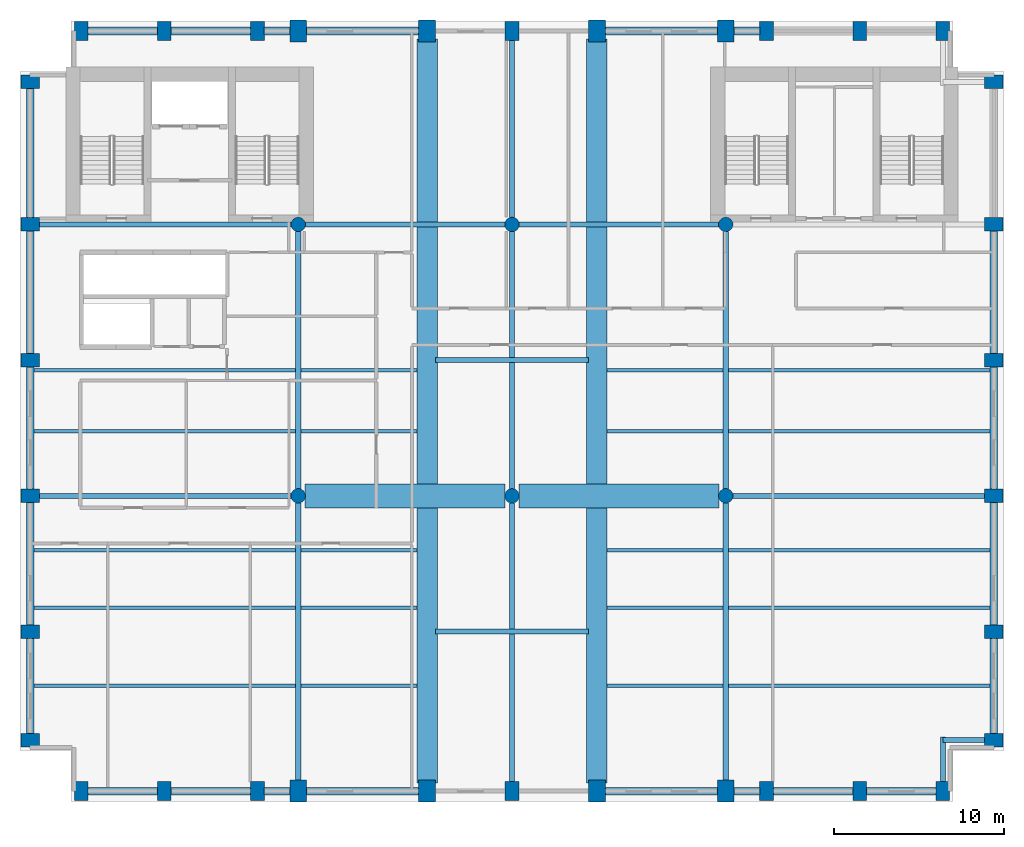
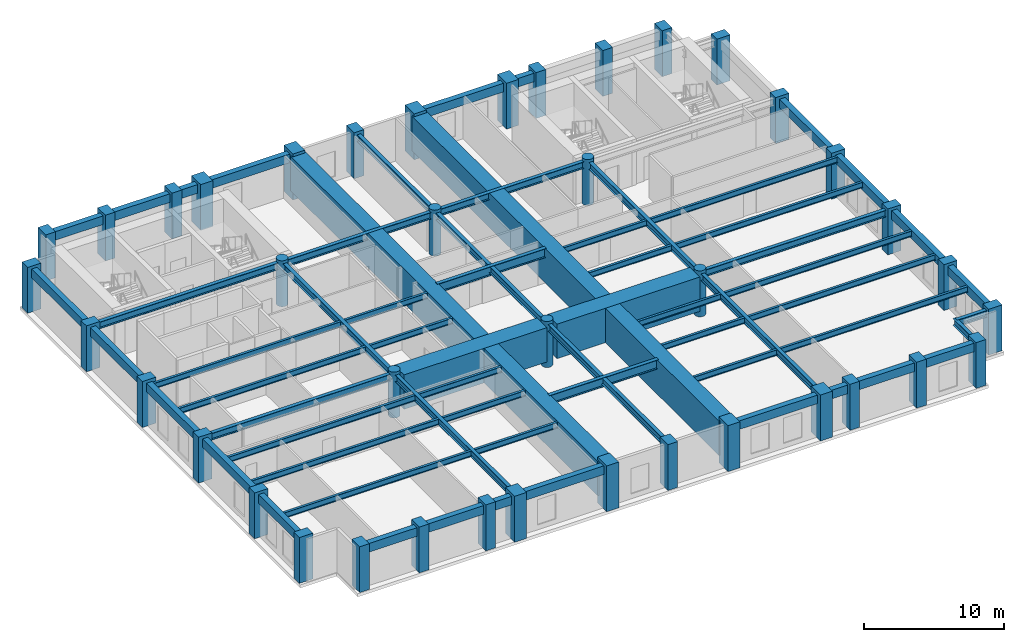
# One storey, part 1 of 8: 65 beams, 40 columns.
"""IFC4 building model written with IfcOpenShell, lengths in metres."""

from ifc_helpers import new_model, si_unit, direction, frame, origin, origin_2d, place, context, subcontext, project, spatial, rectangle, circle, i_section, extrude, material, material_profile, profile_set, type_object, element, save


model = new_model("IFC4")

# Units and contexts
model_context = context("Model", 3, precision=1e-05, world=origin(), true_north=direction((0.0, 1.0)))
body_context = subcontext(model_context, "Body", "Model", "MODEL_VIEW")
ifc_project = project(units=[si_unit("LENGTHUNIT", "METRE"), si_unit("AREAUNIT", "SQUARE_METRE"), si_unit("VOLUMEUNIT", "CUBIC_METRE"), si_unit("PLANEANGLEUNIT", "RADIAN"), si_unit("MASSUNIT", "GRAM", prefix="KILO")], contexts=[model_context])

# Site, building, storey
site_placement = place(None, origin())
site = spatial("IfcSite", under=ifc_project, at=site_placement, CompositionType="ELEMENT")
building_placement = place(site_placement, origin())
building = spatial("IfcBuilding", under=site, at=building_placement, Name="Sulina Concourse Tower", CompositionType="ELEMENT")
storey_placement = place(building_placement, frame((0.0, 0.0, 178.60009765625)))
storey = spatial("IfcBuildingStorey", under=building, at=storey_placement, Name="L43", CompositionType="ELEMENT", Elevation=178.60009765625)

# Columns
ifc_material_1 = material(Name="Precast concrete C60/75", Category="concrete")
ifc_material_profile_1 = material_profile(ifc_material_1, rectangle(XDim=0.800048828125, YDim=1.10009765625, at=origin_2d()), Name="PC 800x1100")
ifc_profile_set_1 = profile_set([ifc_material_profile_1], Name="Precast concrete C60/75")
column_type_1 = type_object("IfcColumnType", Name="Precast Tube Pier Zone 3 800x1100", PredefinedType="COLUMN", material=ifc_profile_set_1)
for number, where, z_axis, x_axis, name in (
    (1, (3.60009765625, 0.60009765625, 0.0), (0.0, 0.0, 1.0), (1.0, 0.0, 0.0), "L43 structural column TP-S-36"),
    (2, (3.60009765625, 45.39990234375, 0.0), (0.0, 0.0, 1.0), (1.0, 0.0, 0.0), "L43 structural column TP-N-36"),
    (3, (8.5, 0.60009765625, 0.0), (0.0, 0.0, 1.0), (1.0, 0.0, 0.0), "L43 structural column TP-S-85"),
    (4, (8.5, 45.39990234375, 0.0), (0.0, 0.0, 1.0), (1.0, 0.0, 0.0), "L43 structural column TP-N-85"),
    (5, (14.0, 0.60009765625, 0.0), (0.0, 0.0, 1.0), (1.0, 0.0, 0.0), "L43 structural column TP-S-140"),
    (6, (14.0, 45.39990234375, 0.0), (0.0, 0.0, 1.0), (1.0, 0.0, 0.0), "L43 structural column TP-N-140"),
    (7, (29.0, 0.60009765625, 0.0), (0.0, 0.0, 1.0), (1.0, 0.0, 0.0), "L43 structural column TP-S-290"),
    (8, (29.0, 45.39990234375, 0.0), (0.0, 0.0, 1.0), (1.0, 0.0, 0.0), "L43 structural column TP-N-290"),
    (9, (44.0, 0.60009765625, 0.0), (0.0, 0.0, 1.0), (1.0, 0.0, 0.0), "L43 structural column TP-S-440"),
    (10, (44.0, 45.39990234375, 0.0), (0.0, 0.0, 1.0), (1.0, 0.0, 0.0), "L43 structural column TP-N-440"),
    (11, (49.5, 0.60009765625, 0.0), (0.0, 0.0, 1.0), (1.0, 0.0, 0.0), "L43 structural column TP-S-495"),
    (12, (49.5, 45.39990234375, 0.0), (0.0, 0.0, 1.0), (1.0, 0.0, 0.0), "L43 structural column TP-N-495"),
    (13, (54.39990234375, 0.60009765625, 0.0), (0.0, 0.0, 1.0), (1.0, 0.0, 0.0), "L43 structural column TP-S-544"),
    (14, (54.39990234375, 45.39990234375, 0.0), (0.0, 0.0, 1.0), (1.0, 0.0, 0.0), "L43 structural column TP-N-544"),
    (15, (0.60009765625, 3.60009765625, 0.0), (0.0, 0.0, 1.0), (0.0, 1.0, 0.0), "L43 structural column TP-W-36"),
    (16, (57.39990234375, 3.60009765625, 0.0), (0.0, 0.0, 1.0), (0.0, 1.0, 0.0), "L43 structural column TP-E-36"),
    (17, (0.60009765625, 10.0, 0.0), (0.0, 0.0, 1.0), (0.0, 1.0, 0.0), "L43 structural column TP-W-100"),
    (18, (57.39990234375, 10.0, 0.0), (0.0, 0.0, 1.0), (0.0, 1.0, 0.0), "L43 structural column TP-E-100"),
    (19, (0.60009765625, 18.0, 0.0), (0.0, 0.0, 1.0), (0.0, 1.0, 0.0), "L43 structural column TP-W-180"),
    (20, (57.39990234375, 18.0, 0.0), (0.0, 0.0, 1.0), (0.0, 1.0, 0.0), "L43 structural column TP-E-180"),
    (21, (0.60009765625, 26.0, 0.0), (0.0, 0.0, 1.0), (0.0, 1.0, 0.0), "L43 structural column TP-W-260"),
    (22, (57.39990234375, 26.0, 0.0), (0.0, 0.0, 1.0), (0.0, 1.0, 0.0), "L43 structural column TP-E-260"),
    (23, (0.60009765625, 34.0, 0.0), (0.0, 0.0, 1.0), (0.0, 1.0, 0.0), "L43 structural column TP-W-340"),
    (24, (57.39990234375, 34.0, 0.0), (0.0, 0.0, 1.0), (0.0, 1.0, 0.0), "L43 structural column TP-E-340"),
    (25, (0.60009765625, 42.39990234375, 0.0), (0.0, 0.0, 1.0), (0.0, 1.0, 0.0), "L43 structural column TP-W-424"),
    (26, (57.39990234375, 42.39990234375, 0.0), (0.0, 0.0, 1.0), (0.0, 1.0, 0.0), "L43 structural column TP-E-424"),
):
    element("IfcColumn", number, at=place(storey_placement, frame(where, z_axis=z_axis, x_axis=x_axis)), inside=storey, type_object=column_type_1, Name=name, PredefinedType="COLUMN", context=body_context, shape_type="SweptSolid", body=[
        extrude(rectangle(XDim=0.800048828125, YDim=1.10009765625, at=origin_2d()), origin(), (0.0, 0.0, 1.0), 4.0),
    ])
ifc_material_2 = material(Name="Concrete C50/60", Category="concrete")
ifc_material_profile_2 = material_profile(ifc_material_2, circle(Radius=0.425048828125, at=origin_2d()), Name="RC D850")
ifc_profile_set_2 = profile_set([ifc_material_profile_2], Name="Concrete C50/60")
column_type_2 = type_object("IfcColumnType", Name="Upper Interior Circular Column D850", PredefinedType="COLUMN", material=ifc_profile_set_2)
for number, where, z_axis, x_axis, name in (
    (27, (16.39990234375, 18.0, 0.0), (0.0, 0.0, 1.0), (1.0, 0.0, 0.0), "L43 structural column IC-M-164"),
    (28, (16.39990234375, 34.0, 0.0), (0.0, 0.0, 1.0), (1.0, 0.0, 0.0), "L43 structural column IC-N-164"),
    (29, (29.0, 18.0, 0.0), (0.0, 0.0, 1.0), (1.0, 0.0, 0.0), "L43 structural column IC-M-290"),
    (30, (29.0, 34.0, 0.0), (0.0, 0.0, 1.0), (1.0, 0.0, 0.0), "L43 structural column IC-N-290"),
    (31, (41.60009765625, 18.0, 0.0), (0.0, 0.0, 1.0), (1.0, 0.0, 0.0), "L43 structural column IC-M-416"),
    (32, (41.60009765625, 34.0, 0.0), (0.0, 0.0, 1.0), (1.0, 0.0, 0.0), "L43 structural column IC-N-416"),
):
    element("IfcColumn", number, at=place(storey_placement, frame(where, z_axis=z_axis, x_axis=x_axis)), inside=storey, type_object=column_type_2, Name=name, PredefinedType="COLUMN", context=body_context, shape_type="SweptSolid", body=[
        extrude(circle(Radius=0.425048828125, at=origin_2d()), origin(), (0.0, 0.0, 1.0), 4.0),
    ])
ifc_material_3 = material(Name="Concrete C60/75", Category="concrete")
ifc_material_profile_3 = material_profile(ifc_material_3, rectangle(XDim=1.0, YDim=1.300048828125, at=origin_2d()), Name="RC 1000x1300")
ifc_profile_set_3 = profile_set([ifc_material_profile_3], Name="Concrete C60/75")
column_type_3 = type_object("IfcColumnType", Name="Upper Portal Column 1000x1300", PredefinedType="COLUMN", material=ifc_profile_set_3)
for number, where, z_axis, x_axis, name in (
    (33, (16.39990234375, 0.60009765625, 0.0), (0.0, 0.0, 1.0), (1.0, 0.0, 0.0), "L43 structural column TP-S-164"),
    (34, (16.39990234375, 45.39990234375, 0.0), (0.0, 0.0, 1.0), (1.0, 0.0, 0.0), "L43 structural column TP-N-164"),
    (35, (24.0, 0.60009765625, 0.0), (0.0, 0.0, 1.0), (1.0, 0.0, 0.0), "L43 structural column TP-S-240"),
    (36, (24.0, 45.39990234375, 0.0), (0.0, 0.0, 1.0), (1.0, 0.0, 0.0), "L43 structural column TP-N-240"),
    (37, (34.0, 0.60009765625, 0.0), (0.0, 0.0, 1.0), (1.0, 0.0, 0.0), "L43 structural column TP-S-340"),
    (38, (34.0, 45.39990234375, 0.0), (0.0, 0.0, 1.0), (1.0, 0.0, 0.0), "L43 structural column TP-N-340"),
    (39, (41.60009765625, 0.60009765625, 0.0), (0.0, 0.0, 1.0), (1.0, 0.0, 0.0), "L43 structural column TP-S-416"),
    (40, (41.60009765625, 45.39990234375, 0.0), (0.0, 0.0, 1.0), (1.0, 0.0, 0.0), "L43 structural column TP-N-416"),
):
    element("IfcColumn", number, at=place(storey_placement, frame(where, z_axis=z_axis, x_axis=x_axis)), inside=storey, type_object=column_type_3, Name=name, PredefinedType="COLUMN", context=body_context, shape_type="SweptSolid", body=[
        extrude(rectangle(XDim=1.0, YDim=1.300048828125, at=origin_2d()), origin(), (0.0, 0.0, 1.0), 4.0),
    ])

# Beams
ifc_material_4 = material(Name="Steel S355", Category="steel")
ifc_material_profile_4 = material_profile(ifc_material_4, i_section(OverallWidth=0.199951171875, OverallDepth=0.5, WebThickness=0.01025390625, FlangeThickness=0.01611328125, at=origin_2d()), Name="IPE 500")
ifc_profile_set_4 = profile_set([ifc_material_profile_4], Name="Steel S355")
beam_type_1 = type_object("IfcBeamType", Name="Composite Floor Joist IPE500", PredefinedType="JOIST", material=ifc_profile_set_4)
beam_1_placement = place(storey_placement, frame((0.824951171875, 6.800048828125, 3.5), z_axis=(1.0, 0.0, 0.0), x_axis=(0.0, 1.0, 0.0)))
element("IfcBeam", 41, at=beam_1_placement, inside=storey, type_object=beam_type_1, Name="FJ-J06-1-L43", PredefinedType="JOIST", context=body_context, shape_type="SweptSolid", body=[
    extrude(i_section(OverallWidth=0.199951171875, OverallDepth=0.5, WebThickness=0.01025390625, FlangeThickness=0.01611328125, at=origin_2d()), origin(), (0.0, 0.0, 1.0), 15.425048828125),
])
for number, where, z_axis, x_axis, name in (
    (42, (16.550048828125, 6.800048828125, 3.5), (1.0, 0.0, 0.0), (0.0, 1.0, 0.0), "FJ-J06-2-L43"),
    (43, (34.60009765625, 6.800048828125, 3.5), (1.0, 0.0, 0.0), (0.0, 1.0, 0.0), "FJ-J06-5-L43"),
):
    element("IfcBeam", number, at=place(storey_placement, frame(where, z_axis=z_axis, x_axis=x_axis)), inside=storey, type_object=beam_type_1, Name=name, PredefinedType="JOIST", context=body_context, shape_type="SweptSolid", body=[
        extrude(i_section(OverallWidth=0.199951171875, OverallDepth=0.5, WebThickness=0.01025390625, FlangeThickness=0.01611328125, at=origin_2d()), origin(), (0.0, 0.0, 1.0), 6.849853515625),
    ])
for number, where, z_axis, x_axis, name in (
    (44, (41.75, 6.800048828125, 3.5), (1.0, 0.0, 0.0), (0.0, 1.0, 0.0), "FJ-J06-6-L43"),
    (45, (0.824951171875, 11.39990234375, 3.5), (1.0, 0.0, 0.0), (0.0, 1.0, 0.0), "FJ-J11-1-L43"),
):
    element("IfcBeam", number, at=place(storey_placement, frame(where, z_axis=z_axis, x_axis=x_axis)), inside=storey, type_object=beam_type_1, Name=name, PredefinedType="JOIST", context=body_context, shape_type="SweptSolid", body=[
        extrude(i_section(OverallWidth=0.199951171875, OverallDepth=0.5, WebThickness=0.01025390625, FlangeThickness=0.01611328125, at=origin_2d()), origin(), (0.0, 0.0, 1.0), 15.425048828125),
    ])
for number, where, z_axis, x_axis, name in (
    (46, (16.550048828125, 11.39990234375, 3.5), (1.0, 0.0, 0.0), (0.0, 1.0, 0.0), "FJ-J11-2-L43"),
    (47, (34.60009765625, 11.39990234375, 3.5), (1.0, 0.0, 0.0), (0.0, 1.0, 0.0), "FJ-J11-5-L43"),
):
    element("IfcBeam", number, at=place(storey_placement, frame(where, z_axis=z_axis, x_axis=x_axis)), inside=storey, type_object=beam_type_1, Name=name, PredefinedType="JOIST", context=body_context, shape_type="SweptSolid", body=[
        extrude(i_section(OverallWidth=0.199951171875, OverallDepth=0.5, WebThickness=0.01025390625, FlangeThickness=0.01611328125, at=origin_2d()), origin(), (0.0, 0.0, 1.0), 6.849853515625),
    ])
for number, where, z_axis, x_axis, name in (
    (48, (41.75, 11.39990234375, 3.5), (1.0, 0.0, 0.0), (0.0, 1.0, 0.0), "FJ-J11-6-L43"),
    (49, (0.824951171875, 14.800048828125, 3.5), (1.0, 0.0, 0.0), (0.0, 1.0, 0.0), "FJ-J15-1-L43"),
):
    element("IfcBeam", number, at=place(storey_placement, frame(where, z_axis=z_axis, x_axis=x_axis)), inside=storey, type_object=beam_type_1, Name=name, PredefinedType="JOIST", context=body_context, shape_type="SweptSolid", body=[
        extrude(i_section(OverallWidth=0.199951171875, OverallDepth=0.5, WebThickness=0.01025390625, FlangeThickness=0.01611328125, at=origin_2d()), origin(), (0.0, 0.0, 1.0), 15.425048828125),
    ])
for number, where, z_axis, x_axis, name in (
    (50, (16.550048828125, 14.800048828125, 3.5), (1.0, 0.0, 0.0), (0.0, 1.0, 0.0), "FJ-J15-2-L43"),
    (51, (34.60009765625, 14.800048828125, 3.5), (1.0, 0.0, 0.0), (0.0, 1.0, 0.0), "FJ-J15-5-L43"),
):
    element("IfcBeam", number, at=place(storey_placement, frame(where, z_axis=z_axis, x_axis=x_axis)), inside=storey, type_object=beam_type_1, Name=name, PredefinedType="JOIST", context=body_context, shape_type="SweptSolid", body=[
        extrude(i_section(OverallWidth=0.199951171875, OverallDepth=0.5, WebThickness=0.01025390625, FlangeThickness=0.01611328125, at=origin_2d()), origin(), (0.0, 0.0, 1.0), 6.849853515625),
    ])
for number, where, z_axis, x_axis, name in (
    (52, (41.75, 14.800048828125, 3.5), (1.0, 0.0, 0.0), (0.0, 1.0, 0.0), "FJ-J15-6-L43"),
    (53, (0.824951171875, 21.800048828125, 3.5), (1.0, 0.0, 0.0), (0.0, 1.0, 0.0), "FJ-J22-1-L43"),
):
    element("IfcBeam", number, at=place(storey_placement, frame(where, z_axis=z_axis, x_axis=x_axis)), inside=storey, type_object=beam_type_1, Name=name, PredefinedType="JOIST", context=body_context, shape_type="SweptSolid", body=[
        extrude(i_section(OverallWidth=0.199951171875, OverallDepth=0.5, WebThickness=0.01025390625, FlangeThickness=0.01611328125, at=origin_2d()), origin(), (0.0, 0.0, 1.0), 15.425048828125),
    ])
for number, where, z_axis, x_axis, name in (
    (54, (16.550048828125, 21.800048828125, 3.5), (1.0, 0.0, 0.0), (0.0, 1.0, 0.0), "FJ-J22-2-L43"),
    (55, (34.60009765625, 21.800048828125, 3.5), (1.0, 0.0, 0.0), (0.0, 1.0, 0.0), "FJ-J22-5-L43"),
):
    element("IfcBeam", number, at=place(storey_placement, frame(where, z_axis=z_axis, x_axis=x_axis)), inside=storey, type_object=beam_type_1, Name=name, PredefinedType="JOIST", context=body_context, shape_type="SweptSolid", body=[
        extrude(i_section(OverallWidth=0.199951171875, OverallDepth=0.5, WebThickness=0.01025390625, FlangeThickness=0.01611328125, at=origin_2d()), origin(), (0.0, 0.0, 1.0), 6.849853515625),
    ])
for number, where, z_axis, x_axis, name in (
    (56, (41.75, 21.800048828125, 3.5), (1.0, 0.0, 0.0), (0.0, 1.0, 0.0), "FJ-J22-6-L43"),
    (57, (0.824951171875, 25.39990234375, 3.5), (1.0, 0.0, 0.0), (0.0, 1.0, 0.0), "FJ-J25-1-L43"),
):
    element("IfcBeam", number, at=place(storey_placement, frame(where, z_axis=z_axis, x_axis=x_axis)), inside=storey, type_object=beam_type_1, Name=name, PredefinedType="JOIST", context=body_context, shape_type="SweptSolid", body=[
        extrude(i_section(OverallWidth=0.199951171875, OverallDepth=0.5, WebThickness=0.01025390625, FlangeThickness=0.01611328125, at=origin_2d()), origin(), (0.0, 0.0, 1.0), 15.425048828125),
    ])
for number, where, z_axis, x_axis, name in (
    (58, (16.550048828125, 25.39990234375, 3.5), (1.0, 0.0, 0.0), (0.0, 1.0, 0.0), "FJ-J25-2-L43"),
    (59, (34.60009765625, 25.39990234375, 3.5), (1.0, 0.0, 0.0), (0.0, 1.0, 0.0), "FJ-J25-5-L43"),
):
    element("IfcBeam", number, at=place(storey_placement, frame(where, z_axis=z_axis, x_axis=x_axis)), inside=storey, type_object=beam_type_1, Name=name, PredefinedType="JOIST", context=body_context, shape_type="SweptSolid", body=[
        extrude(i_section(OverallWidth=0.199951171875, OverallDepth=0.5, WebThickness=0.01025390625, FlangeThickness=0.01611328125, at=origin_2d()), origin(), (0.0, 0.0, 1.0), 6.849853515625),
    ])
beam_2_placement = place(storey_placement, frame((41.75, 25.39990234375, 3.5), z_axis=(1.0, 0.0, 0.0), x_axis=(0.0, 1.0, 0.0)))
element("IfcBeam", 60, at=beam_2_placement, inside=storey, type_object=beam_type_1, Name="FJ-J25-6-L43", PredefinedType="JOIST", context=body_context, shape_type="SweptSolid", body=[
    extrude(i_section(OverallWidth=0.199951171875, OverallDepth=0.5, WebThickness=0.01025390625, FlangeThickness=0.01611328125, at=origin_2d()), origin(), (0.0, 0.0, 1.0), 15.425048828125),
])
ifc_material_5 = material(Name="Steel S355", Category="steel")
ifc_material_profile_5 = material_profile(ifc_material_5, i_section(OverallWidth=0.300048828125, OverallDepth=0.60009765625, WebThickness=0.015380859375, FlangeThickness=0.030029296875, at=origin_2d()), Name="HE 600 B")
ifc_profile_set_5 = profile_set([ifc_material_profile_5], Name="Steel S355")
beam_type_2 = type_object("IfcBeamType", Name="Floor Primary Girder Zone 3 HE600B", PredefinedType="BEAM", material=ifc_profile_set_5)
beam_3_placement = place(storey_placement, frame((54.39990234375, 3.60009765625, 3.449951171875), z_axis=(1.0, 0.0, 0.0), x_axis=(0.0, 1.0, 0.0)))
element("IfcBeam", 61, at=beam_3_placement, inside=storey, type_object=beam_type_2, Name="TIE-SE-L43", PredefinedType="BEAM", context=body_context, shape_type="SweptSolid", body=[
    extrude(i_section(OverallWidth=0.300048828125, OverallDepth=0.60009765625, WebThickness=0.015380859375, FlangeThickness=0.030029296875, at=origin_2d()), origin(), (0.0, 0.0, 1.0), 2.6201171875),
])
beam_4_placement = place(storey_placement, frame((54.39990234375, 0.97998046875, 3.449951171875), z_axis=(0.0, 1.0, 0.0), x_axis=(-1.0, 0.0, 0.0)))
element("IfcBeam", 62, at=beam_4_placement, inside=storey, type_object=beam_type_2, Name="TIE-SES-L43", PredefinedType="BEAM", context=body_context, shape_type="SweptSolid", body=[
    extrude(i_section(OverallWidth=0.300048828125, OverallDepth=0.60009765625, WebThickness=0.015380859375, FlangeThickness=0.030029296875, at=origin_2d()), origin(), (0.0, 0.0, 1.0), 2.820068359375),
])
for number, where, z_axis, x_axis, name in (
    (63, (0.97998046875, 18.0, 3.449951171875), (1.0, 0.0, 0.0), (0.0, 1.0, 0.0), "FG-EW1-L43"),
    (64, (42.0048828125, 18.0, 3.449951171875), (1.0, 0.0, 0.0), (0.0, 1.0, 0.0), "FG-EW4-L43"),
    (65, (0.97998046875, 34.0, 3.449951171875), (1.0, 0.0, 0.0), (0.0, 1.0, 0.0), "FG-EWN1-L43"),
):
    element("IfcBeam", number, at=place(storey_placement, frame(where, z_axis=z_axis, x_axis=x_axis)), inside=storey, type_object=beam_type_2, Name=name, PredefinedType="BEAM", context=body_context, shape_type="SweptSolid", body=[
        extrude(i_section(OverallWidth=0.300048828125, OverallDepth=0.60009765625, WebThickness=0.015380859375, FlangeThickness=0.030029296875, at=origin_2d()), origin(), (0.0, 0.0, 1.0), 15.01513671875),
    ])
for number, where, z_axis, x_axis, name in (
    (66, (16.804931640625, 34.0, 3.449951171875), (1.0, 0.0, 0.0), (0.0, 1.0, 0.0), "FG-EWN2-L43"),
    (67, (29.405029296875, 34.0, 3.449951171875), (1.0, 0.0, 0.0), (0.0, 1.0, 0.0), "FG-EWN3-L43"),
):
    element("IfcBeam", number, at=place(storey_placement, frame(where, z_axis=z_axis, x_axis=x_axis)), inside=storey, type_object=beam_type_2, Name=name, PredefinedType="BEAM", context=body_context, shape_type="SweptSolid", body=[
        extrude(i_section(OverallWidth=0.300048828125, OverallDepth=0.60009765625, WebThickness=0.015380859375, FlangeThickness=0.030029296875, at=origin_2d()), origin(), (0.0, 0.0, 1.0), 11.7900390625),
    ])
beam_5_placement = place(storey_placement, frame((16.39990234375, 1.080078125, 3.449951171875), z_axis=(0.0, 1.0, 0.0), x_axis=(-1.0, 0.0, 0.0)))
element("IfcBeam", 68, at=beam_5_placement, inside=storey, type_object=beam_type_2, Name="FG-NSA-16-L43", PredefinedType="BEAM", context=body_context, shape_type="SweptSolid", body=[
    extrude(i_section(OverallWidth=0.300048828125, OverallDepth=0.60009765625, WebThickness=0.015380859375, FlangeThickness=0.030029296875, at=origin_2d()), origin(), (0.0, 0.0, 1.0), 16.514892578125),
])
beam_6_placement = place(storey_placement, frame((16.39990234375, 18.405029296875, 3.449951171875), z_axis=(0.0, 1.0, 0.0), x_axis=(-1.0, 0.0, 0.0)))
element("IfcBeam", 69, at=beam_6_placement, inside=storey, type_object=beam_type_2, Name="FG-NSB-16-L43", PredefinedType="BEAM", context=body_context, shape_type="SweptSolid", body=[
    extrude(i_section(OverallWidth=0.300048828125, OverallDepth=0.60009765625, WebThickness=0.015380859375, FlangeThickness=0.030029296875, at=origin_2d()), origin(), (0.0, 0.0, 1.0), 15.18994140625),
])
beam_7_placement = place(storey_placement, frame((29.0, 0.97998046875, 3.449951171875), z_axis=(0.0, 1.0, 0.0), x_axis=(-1.0, 0.0, 0.0)))
element("IfcBeam", 70, at=beam_7_placement, inside=storey, type_object=beam_type_2, Name="FG-NSA-29-L43", PredefinedType="BEAM", context=body_context, shape_type="SweptSolid", body=[
    extrude(i_section(OverallWidth=0.300048828125, OverallDepth=0.60009765625, WebThickness=0.015380859375, FlangeThickness=0.030029296875, at=origin_2d()), origin(), (0.0, 0.0, 1.0), 16.614990234375),
])
beam_8_placement = place(storey_placement, frame((29.0, 18.405029296875, 3.449951171875), z_axis=(0.0, 1.0, 0.0), x_axis=(-1.0, 0.0, 0.0)))
element("IfcBeam", 71, at=beam_8_placement, inside=storey, type_object=beam_type_2, Name="FG-NSB-29-L43", PredefinedType="BEAM", context=body_context, shape_type="SweptSolid", body=[
    extrude(i_section(OverallWidth=0.300048828125, OverallDepth=0.60009765625, WebThickness=0.015380859375, FlangeThickness=0.030029296875, at=origin_2d()), origin(), (0.0, 0.0, 1.0), 15.18994140625),
])
beam_9_placement = place(storey_placement, frame((29.0, 34.405029296875, 3.449951171875), z_axis=(0.0, 1.0, 0.0), x_axis=(-1.0, 0.0, 0.0)))
element("IfcBeam", 72, at=beam_9_placement, inside=storey, type_object=beam_type_2, Name="FG-NSC-29-L43", PredefinedType="BEAM", context=body_context, shape_type="SweptSolid", body=[
    extrude(i_section(OverallWidth=0.300048828125, OverallDepth=0.60009765625, WebThickness=0.015380859375, FlangeThickness=0.030029296875, at=origin_2d()), origin(), (0.0, 0.0, 1.0), 10.614990234375),
])
beam_10_placement = place(storey_placement, frame((41.60009765625, 1.080078125, 3.449951171875), z_axis=(0.0, 1.0, 0.0), x_axis=(-1.0, 0.0, 0.0)))
element("IfcBeam", 73, at=beam_10_placement, inside=storey, type_object=beam_type_2, Name="FG-NSA-41-L43", PredefinedType="BEAM", context=body_context, shape_type="SweptSolid", body=[
    extrude(i_section(OverallWidth=0.300048828125, OverallDepth=0.60009765625, WebThickness=0.015380859375, FlangeThickness=0.030029296875, at=origin_2d()), origin(), (0.0, 0.0, 1.0), 16.514892578125),
])
beam_11_placement = place(storey_placement, frame((41.60009765625, 18.405029296875, 3.449951171875), z_axis=(0.0, 1.0, 0.0), x_axis=(-1.0, 0.0, 0.0)))
element("IfcBeam", 74, at=beam_11_placement, inside=storey, type_object=beam_type_2, Name="FG-NSB-41-L43", PredefinedType="BEAM", context=body_context, shape_type="SweptSolid", body=[
    extrude(i_section(OverallWidth=0.300048828125, OverallDepth=0.60009765625, WebThickness=0.015380859375, FlangeThickness=0.030029296875, at=origin_2d()), origin(), (0.0, 0.0, 1.0), 15.18994140625),
])
ifc_material_6 = material(Name="Concrete C60/75", Category="concrete")
ifc_material_profile_6 = material_profile(ifc_material_6, rectangle(XDim=1.199951171875, YDim=3.0, at=origin_2d()), Name="RC 1200x3000")
ifc_profile_set_6 = profile_set([ifc_material_profile_6], Name="Concrete C60/75")
beam_type_3 = type_object("IfcBeamType", Name="Station Podium Transfer Girder 1200x3000", PredefinedType="BEAM", material=ifc_profile_set_6)
beam_12_placement = place(storey_placement, frame((24.0, 1.080078125, 2.25), z_axis=(0.0, 1.0, 0.0), x_axis=(-1.0, 0.0, 0.0)))
element("IfcBeam", 75, at=beam_12_placement, inside=storey, type_object=beam_type_3, Name="TG-NS-S-24-L43", PredefinedType="BEAM", context=body_context, shape_type="SweptSolid", body=[
    extrude(rectangle(XDim=1.199951171875, YDim=3.0, at=origin_2d()), origin(), (0.0, 0.0, 1.0), 16.219970703125),
])
beam_13_placement = place(storey_placement, frame((24.0, 18.699951171875, 2.25), z_axis=(0.0, 1.0, 0.0), x_axis=(-1.0, 0.0, 0.0)))
element("IfcBeam", 76, at=beam_13_placement, inside=storey, type_object=beam_type_3, Name="TG-NS-N-24-L43", PredefinedType="BEAM", context=body_context, shape_type="SweptSolid", body=[
    extrude(rectangle(XDim=1.199951171875, YDim=3.0, at=origin_2d()), origin(), (0.0, 0.0, 1.0), 26.219970703125),
])
beam_14_placement = place(storey_placement, frame((34.0, 1.080078125, 2.25), z_axis=(0.0, 1.0, 0.0), x_axis=(-1.0, 0.0, 0.0)))
element("IfcBeam", 77, at=beam_14_placement, inside=storey, type_object=beam_type_3, Name="TG-NS-S-34-L43", PredefinedType="BEAM", context=body_context, shape_type="SweptSolid", body=[
    extrude(rectangle(XDim=1.199951171875, YDim=3.0, at=origin_2d()), origin(), (0.0, 0.0, 1.0), 16.219970703125),
])
beam_15_placement = place(storey_placement, frame((34.0, 18.699951171875, 2.25), z_axis=(0.0, 1.0, 0.0), x_axis=(-1.0, 0.0, 0.0)))
element("IfcBeam", 78, at=beam_15_placement, inside=storey, type_object=beam_type_3, Name="TG-NS-N-34-L43", PredefinedType="BEAM", context=body_context, shape_type="SweptSolid", body=[
    extrude(rectangle(XDim=1.199951171875, YDim=3.0, at=origin_2d()), origin(), (0.0, 0.0, 1.0), 26.219970703125),
])
ifc_material_7 = material(Name="Concrete C60/75", Category="concrete")
ifc_material_profile_7 = material_profile(ifc_material_7, rectangle(XDim=1.39990234375, YDim=3.0, at=origin_2d()), Name="RC 1400x3000")
ifc_profile_set_7 = profile_set([ifc_material_profile_7], Name="Concrete C60/75")
beam_type_4 = type_object("IfcBeamType", Name="Station Podium Transfer Girder 1400x3000", PredefinedType="BEAM", material=ifc_profile_set_7)
for number, where, z_axis, x_axis, name in (
    (79, (16.804931640625, 18.0, 2.25), (1.0, 0.0, 0.0), (0.0, 1.0, 0.0), "TG-EW-M2-L43"),
    (80, (29.405029296875, 18.0, 2.25), (1.0, 0.0, 0.0), (0.0, 1.0, 0.0), "TG-EW-M3-L43"),
):
    element("IfcBeam", number, at=place(storey_placement, frame(where, z_axis=z_axis, x_axis=x_axis)), inside=storey, type_object=beam_type_4, Name=name, PredefinedType="BEAM", context=body_context, shape_type="SweptSolid", body=[
        extrude(rectangle(XDim=1.39990234375, YDim=3.0, at=origin_2d()), origin(), (0.0, 0.0, 1.0), 11.7900390625),
    ])
ifc_material_8 = material(Name="Precast concrete C50/60", Category="concrete")
ifc_material_profile_8 = material_profile(ifc_material_8, rectangle(XDim=0.449951171875, YDim=0.75, at=origin_2d()), Name="RC 450x750")
ifc_profile_set_8 = profile_set([ifc_material_profile_8], Name="Precast concrete C50/60")
beam_type_5 = type_object("IfcBeamType", Name="Upper Precast Spandrel Edge Beam 450x750", PredefinedType="BEAM", material=ifc_profile_set_8)
beam_16_placement = place(storey_placement, frame((3.97998046875, 0.60009765625, 3.375), z_axis=(1.0, 0.0, 0.0), x_axis=(0.0, 1.0, 0.0)))
element("IfcBeam", 81, at=beam_16_placement, inside=storey, type_object=beam_type_5, Name="SP-S1-L43", PredefinedType="BEAM", context=body_context, shape_type="SweptSolid", body=[
    extrude(rectangle(XDim=0.449951171875, YDim=0.75, at=origin_2d()), origin(), (0.0, 0.0, 1.0), 4.14013671875),
])
beam_17_placement = place(storey_placement, frame((8.8798828125, 0.60009765625, 3.375), z_axis=(1.0, 0.0, 0.0), x_axis=(0.0, 1.0, 0.0)))
element("IfcBeam", 82, at=beam_17_placement, inside=storey, type_object=beam_type_5, Name="SP-S2-L43", PredefinedType="BEAM", context=body_context, shape_type="SweptSolid", body=[
    extrude(rectangle(XDim=0.449951171875, YDim=0.75, at=origin_2d()), origin(), (0.0, 0.0, 1.0), 4.740234375),
])
beam_18_placement = place(storey_placement, frame((14.3798828125, 0.60009765625, 3.375), z_axis=(1.0, 0.0, 0.0), x_axis=(0.0, 1.0, 0.0)))
element("IfcBeam", 83, at=beam_18_placement, inside=storey, type_object=beam_type_5, Name="SP-S3-L43", PredefinedType="BEAM", context=body_context, shape_type="SweptSolid", body=[
    extrude(rectangle(XDim=0.449951171875, YDim=0.75, at=origin_2d()), origin(), (0.0, 0.0, 1.0), 1.5400390625),
])
for number, where, z_axis, x_axis, name in (
    (84, (16.8798828125, 0.60009765625, 3.375), (1.0, 0.0, 0.0), (0.0, 1.0, 0.0), "SP-S4-L43"),
    (85, (34.47998046875, 0.60009765625, 3.375), (1.0, 0.0, 0.0), (0.0, 1.0, 0.0), "SP-S7-L43"),
):
    element("IfcBeam", number, at=place(storey_placement, frame(where, z_axis=z_axis, x_axis=x_axis)), inside=storey, type_object=beam_type_5, Name=name, PredefinedType="BEAM", context=body_context, shape_type="SweptSolid", body=[
        extrude(rectangle(XDim=0.449951171875, YDim=0.75, at=origin_2d()), origin(), (0.0, 0.0, 1.0), 6.64013671875),
    ])
beam_19_placement = place(storey_placement, frame((42.080078125, 0.60009765625, 3.375), z_axis=(1.0, 0.0, 0.0), x_axis=(0.0, 1.0, 0.0)))
element("IfcBeam", 86, at=beam_19_placement, inside=storey, type_object=beam_type_5, Name="SP-S8-L43", PredefinedType="BEAM", context=body_context, shape_type="SweptSolid", body=[
    extrude(rectangle(XDim=0.449951171875, YDim=0.75, at=origin_2d()), origin(), (0.0, 0.0, 1.0), 1.5400390625),
])
beam_20_placement = place(storey_placement, frame((44.3798828125, 0.60009765625, 3.375), z_axis=(1.0, 0.0, 0.0), x_axis=(0.0, 1.0, 0.0)))
element("IfcBeam", 87, at=beam_20_placement, inside=storey, type_object=beam_type_5, Name="SP-S9-L43", PredefinedType="BEAM", context=body_context, shape_type="SweptSolid", body=[
    extrude(rectangle(XDim=0.449951171875, YDim=0.75, at=origin_2d()), origin(), (0.0, 0.0, 1.0), 4.740234375),
])
for number, where, z_axis, x_axis, name in (
    (88, (49.8798828125, 0.60009765625, 3.375), (1.0, 0.0, 0.0), (0.0, 1.0, 0.0), "SP-S10-L43"),
    (89, (3.97998046875, 45.39990234375, 3.375), (1.0, 0.0, 0.0), (0.0, 1.0, 0.0), "SP-N1-L43"),
):
    element("IfcBeam", number, at=place(storey_placement, frame(where, z_axis=z_axis, x_axis=x_axis)), inside=storey, type_object=beam_type_5, Name=name, PredefinedType="BEAM", context=body_context, shape_type="SweptSolid", body=[
        extrude(rectangle(XDim=0.449951171875, YDim=0.75, at=origin_2d()), origin(), (0.0, 0.0, 1.0), 4.14013671875),
    ])
beam_21_placement = place(storey_placement, frame((8.8798828125, 45.39990234375, 3.375), z_axis=(1.0, 0.0, 0.0), x_axis=(0.0, 1.0, 0.0)))
element("IfcBeam", 90, at=beam_21_placement, inside=storey, type_object=beam_type_5, Name="SP-N2-L43", PredefinedType="BEAM", context=body_context, shape_type="SweptSolid", body=[
    extrude(rectangle(XDim=0.449951171875, YDim=0.75, at=origin_2d()), origin(), (0.0, 0.0, 1.0), 4.740234375),
])
beam_22_placement = place(storey_placement, frame((14.3798828125, 45.39990234375, 3.375), z_axis=(1.0, 0.0, 0.0), x_axis=(0.0, 1.0, 0.0)))
element("IfcBeam", 91, at=beam_22_placement, inside=storey, type_object=beam_type_5, Name="SP-N3-L43", PredefinedType="BEAM", context=body_context, shape_type="SweptSolid", body=[
    extrude(rectangle(XDim=0.449951171875, YDim=0.75, at=origin_2d()), origin(), (0.0, 0.0, 1.0), 1.5400390625),
])
for number, where, z_axis, x_axis, name in (
    (92, (16.8798828125, 45.39990234375, 3.375), (1.0, 0.0, 0.0), (0.0, 1.0, 0.0), "SP-N4-L43"),
    (93, (34.47998046875, 45.39990234375, 3.375), (1.0, 0.0, 0.0), (0.0, 1.0, 0.0), "SP-N7-L43"),
):
    element("IfcBeam", number, at=place(storey_placement, frame(where, z_axis=z_axis, x_axis=x_axis)), inside=storey, type_object=beam_type_5, Name=name, PredefinedType="BEAM", context=body_context, shape_type="SweptSolid", body=[
        extrude(rectangle(XDim=0.449951171875, YDim=0.75, at=origin_2d()), origin(), (0.0, 0.0, 1.0), 6.64013671875),
    ])
beam_23_placement = place(storey_placement, frame((42.080078125, 45.39990234375, 3.375), z_axis=(1.0, 0.0, 0.0), x_axis=(0.0, 1.0, 0.0)))
element("IfcBeam", 94, at=beam_23_placement, inside=storey, type_object=beam_type_5, Name="SP-N8-L43", PredefinedType="BEAM", context=body_context, shape_type="SweptSolid", body=[
    extrude(rectangle(XDim=0.449951171875, YDim=0.75, at=origin_2d()), origin(), (0.0, 0.0, 1.0), 1.5400390625),
])
beam_24_placement = place(storey_placement, frame((0.60009765625, 3.97998046875, 3.375), z_axis=(0.0, 1.0, 0.0), x_axis=(-1.0, 0.0, 0.0)))
element("IfcBeam", 95, at=beam_24_placement, inside=storey, type_object=beam_type_5, Name="SP-W1-L43", PredefinedType="BEAM", context=body_context, shape_type="SweptSolid", body=[
    extrude(rectangle(XDim=0.449951171875, YDim=0.75, at=origin_2d()), origin(), (0.0, 0.0, 1.0), 5.64013671875),
])
for number, where, z_axis, x_axis, name in (
    (96, (0.60009765625, 10.3798828125, 3.375), (0.0, 1.0, 0.0), (-1.0, 0.0, 0.0), "SP-W2-L43"),
    (97, (0.60009765625, 18.3798828125, 3.375), (0.0, 1.0, 0.0), (-1.0, 0.0, 0.0), "SP-W3-L43"),
    (98, (0.60009765625, 26.3798828125, 3.375), (0.0, 1.0, 0.0), (-1.0, 0.0, 0.0), "SP-W4-L43"),
):
    element("IfcBeam", number, at=place(storey_placement, frame(where, z_axis=z_axis, x_axis=x_axis)), inside=storey, type_object=beam_type_5, Name=name, PredefinedType="BEAM", context=body_context, shape_type="SweptSolid", body=[
        extrude(rectangle(XDim=0.449951171875, YDim=0.75, at=origin_2d()), origin(), (0.0, 0.0, 1.0), 7.240234375),
    ])
beam_25_placement = place(storey_placement, frame((0.60009765625, 34.3798828125, 3.375), z_axis=(0.0, 1.0, 0.0), x_axis=(-1.0, 0.0, 0.0)))
element("IfcBeam", 99, at=beam_25_placement, inside=storey, type_object=beam_type_5, Name="SP-W5-L43", PredefinedType="BEAM", context=body_context, shape_type="SweptSolid", body=[
    extrude(rectangle(XDim=0.449951171875, YDim=0.75, at=origin_2d()), origin(), (0.0, 0.0, 1.0), 7.64013671875),
])
beam_26_placement = place(storey_placement, frame((57.39990234375, 3.97998046875, 3.375), z_axis=(0.0, 1.0, 0.0), x_axis=(-1.0, 0.0, 0.0)))
element("IfcBeam", 100, at=beam_26_placement, inside=storey, type_object=beam_type_5, Name="SP-E1-L43", PredefinedType="BEAM", context=body_context, shape_type="SweptSolid", body=[
    extrude(rectangle(XDim=0.449951171875, YDim=0.75, at=origin_2d()), origin(), (0.0, 0.0, 1.0), 5.64013671875),
])
for number, where, z_axis, x_axis, name in (
    (101, (57.39990234375, 10.3798828125, 3.375), (0.0, 1.0, 0.0), (-1.0, 0.0, 0.0), "SP-E2-L43"),
    (102, (57.39990234375, 18.3798828125, 3.375), (0.0, 1.0, 0.0), (-1.0, 0.0, 0.0), "SP-E3-L43"),
    (103, (57.39990234375, 26.3798828125, 3.375), (0.0, 1.0, 0.0), (-1.0, 0.0, 0.0), "SP-E4-L43"),
):
    element("IfcBeam", number, at=place(storey_placement, frame(where, z_axis=z_axis, x_axis=x_axis)), inside=storey, type_object=beam_type_5, Name=name, PredefinedType="BEAM", context=body_context, shape_type="SweptSolid", body=[
        extrude(rectangle(XDim=0.449951171875, YDim=0.75, at=origin_2d()), origin(), (0.0, 0.0, 1.0), 7.240234375),
    ])
ifc_material_9 = material(Name="Steel S355", Category="steel")
ifc_material_profile_9 = material_profile(ifc_material_9, i_section(OverallWidth=0.300048828125, OverallDepth=0.800048828125, WebThickness=0.017578125, FlangeThickness=0.032958984375, at=origin_2d()), Name="HE 800 B")
ifc_profile_set_9 = profile_set([ifc_material_profile_9], Name="Steel S355")
beam_type_6 = type_object("IfcBeamType", Name="Upper Wind-Portal Bridge Girder HE800B", PredefinedType="BEAM", material=ifc_profile_set_9)
for number, where, z_axis, x_axis, name in (
    (104, (24.5, 10.0, 3.364990234375), (1.0, 0.0, 0.0), (0.0, 1.0, 0.0), "TB-WP1-1-L43"),
    (105, (24.5, 26.0, 3.364990234375), (1.0, 0.0, 0.0), (0.0, 1.0, 0.0), "TB-WP1-2-L43"),
):
    element("IfcBeam", number, at=place(storey_placement, frame(where, z_axis=z_axis, x_axis=x_axis)), inside=storey, type_object=beam_type_6, Name=name, PredefinedType="BEAM", context=body_context, shape_type="SweptSolid", body=[
        extrude(i_section(OverallWidth=0.300048828125, OverallDepth=0.800048828125, WebThickness=0.017578125, FlangeThickness=0.032958984375, at=origin_2d()), origin(), (0.0, 0.0, 1.0), 9.0),
    ])

save(model, "model.ifc")
